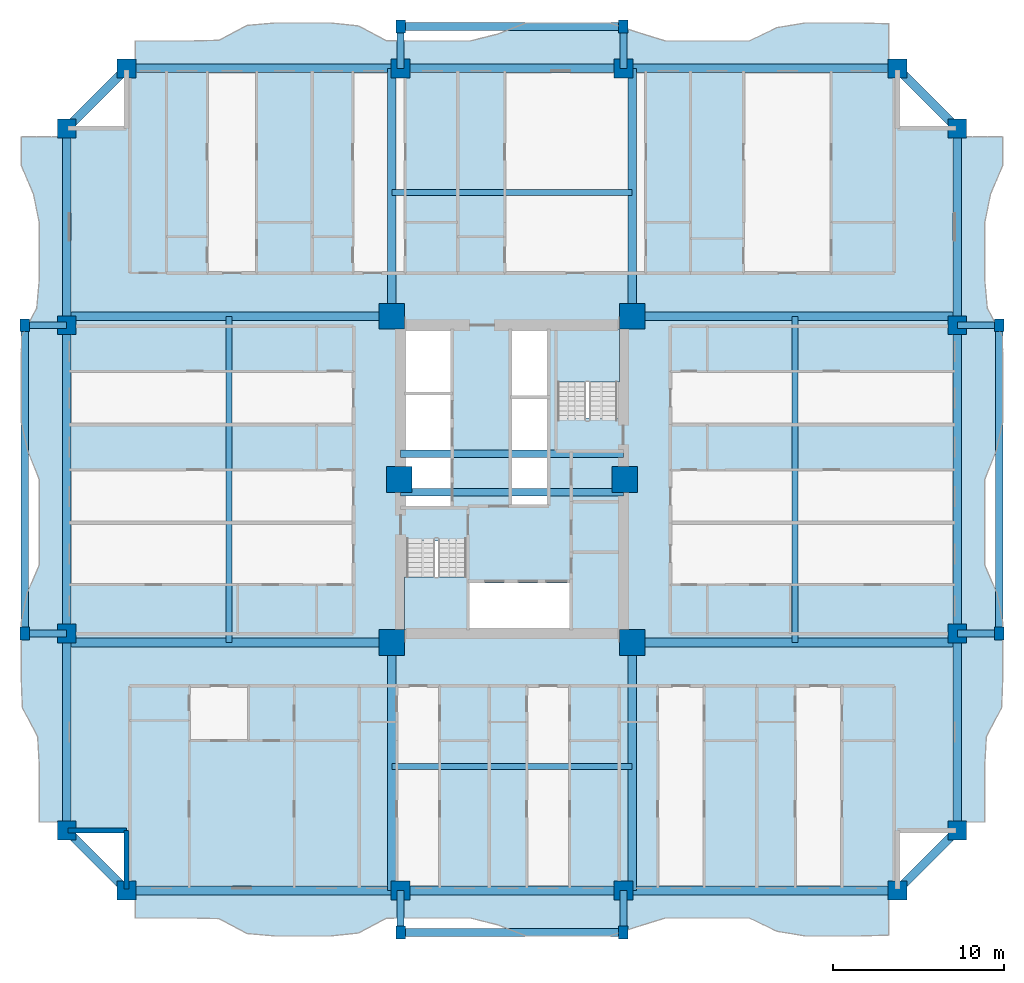
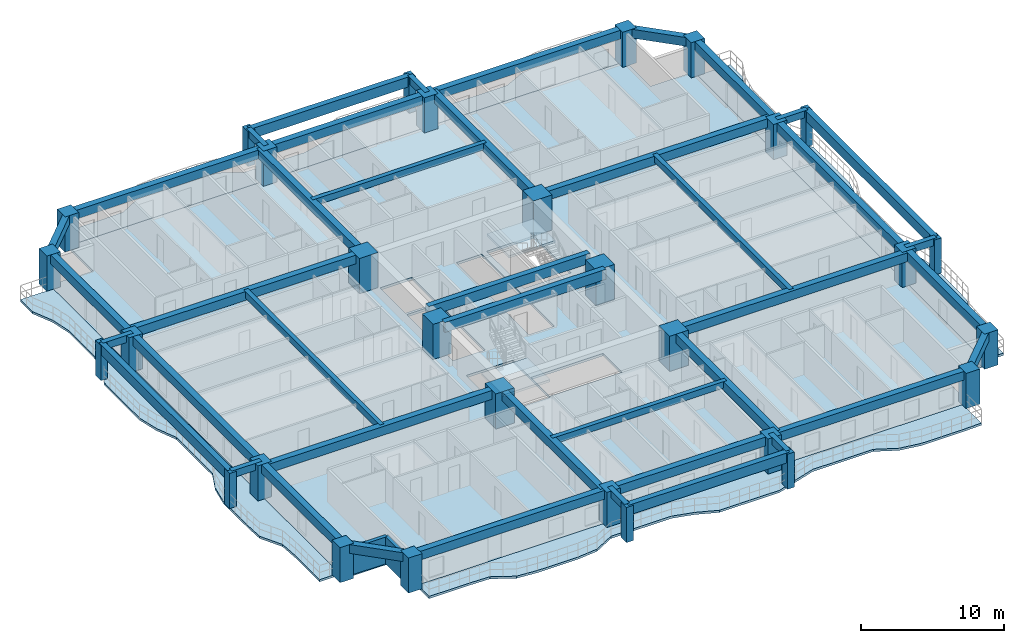
# One storey, part 1 of 16: 42 beams, 30 columns, 7 slabs, 2 walls, 2 elements without a shape of their own.
"""IFC4 building model written with IfcOpenShell, lengths in metres."""

from ifc_helpers import new_model, si_unit, direction, frame, frame_2d, origin, origin_2d, place, context, subcontext, project, spatial, polyline, rectangle, outline, extrude, source, transform, mapped, material, layer, layer_set, material_profile, profile_set, type_object, element, aggregate, save


model = new_model("IFC4")

# Units and contexts
model_context = context("Model", 3, precision=1e-05, world=origin(), true_north=direction((0.0, 1.0)))
body_context = subcontext(model_context, "Body", "Model", "MODEL_VIEW")
ifc_project = project(units=[si_unit("LENGTHUNIT", "METRE"), si_unit("AREAUNIT", "SQUARE_METRE"), si_unit("VOLUMEUNIT", "CUBIC_METRE"), si_unit("PLANEANGLEUNIT", "RADIAN"), si_unit("MASSUNIT", "GRAM", prefix="KILO")], contexts=[model_context])

# Site, building, storey
site_placement = place(None, origin())
site = spatial("IfcSite", under=ifc_project, at=site_placement, CompositionType="ELEMENT")
building_placement = place(site_placement, origin())
building = spatial("IfcBuilding", under=site, at=building_placement, Name="Saelheon Loggia Tower", CompositionType="ELEMENT")
storey_placement = place(building_placement, frame((0.0, 0.0, 55.39990234375)))
storey = spatial("IfcBuildingStorey", under=building, at=storey_placement, Name="L17", CompositionType="ELEMENT", Elevation=55.39990234375)

# Columns
ifc_material_1 = material(Name="Concrete C60/75", Category="concrete")
ifc_material_profile_1 = material_profile(ifc_material_1, rectangle(XDim=1.5, YDim=1.5, at=origin_2d()), Name="RC-1500x1500")
ifc_profile_set_1 = profile_set([ifc_material_profile_1], Name="Concrete C60/75")
column_type_1 = type_object("IfcColumnType", Name="Col_Core_RC1500", PredefinedType="COLUMN", material=ifc_profile_set_1)
shared_shape_1 = source(origin(), body_context, "Body", "SweptSolid", [
    extrude(rectangle(XDim=1.5, YDim=1.5, at=origin_2d()), origin(), (0.0, 0.0, 1.0), 3.0),
])
for number, where, z_axis, x_axis, name in (
    (1, (30.97998046875, 17.47998046875, 0.0), (0.0, 0.0, 1.0), (1.0, 0.0, 0.0), "L17 Core Column CR-SW"),
    (2, (45.02001953125, 17.47998046875, 0.0), (0.0, 0.0, 1.0), (1.0, 0.0, 0.0), "L17 Core Column CR-SE"),
    (3, (30.97998046875, 36.52001953125, 0.0), (0.0, 0.0, 1.0), (1.0, 0.0, 0.0), "L17 Core Column CR-NW"),
    (4, (45.02001953125, 36.52001953125, 0.0), (0.0, 0.0, 1.0), (1.0, 0.0, 0.0), "L17 Core Column CR-NE"),
    (5, (31.419921875, 27.0, 0.0), (0.0, 0.0, 1.0), (1.0, 0.0, 0.0), "L17 Core Column CR-MW"),
    (6, (44.580078125, 27.0, 0.0), (0.0, 0.0, 1.0), (1.0, 0.0, 0.0), "L17 Core Column CR-ME"),
):
    element("IfcColumn", number, at=place(storey_placement, frame(where, z_axis=z_axis, x_axis=x_axis)), inside=storey, type_object=column_type_1, Name=name, PredefinedType="COLUMN", context=body_context, shape_type="MappedRepresentation", body=[
        mapped(shared_shape_1, transform((0.0, 0.0, 0.0), scale=1.0)),
    ])
ifc_material_2 = material(Name="Concrete C50/60", Category="concrete")
ifc_material_profile_2 = material_profile(ifc_material_2, rectangle(XDim=1.10009765625, YDim=1.10009765625, at=origin_2d()), Name="RC-1100x1100")
ifc_profile_set_2 = profile_set([ifc_material_profile_2], Name="Concrete C50/60")
column_type_2 = type_object("IfcColumnType", Name="Col_PerimExt_RC1100", PredefinedType="COLUMN", material=ifc_profile_set_2)
shared_shape_2 = source(origin(), body_context, "Body", "SweptSolid", [
    extrude(rectangle(XDim=1.10009765625, YDim=1.10009765625, at=origin_2d()), origin(), (0.0, 0.0, 1.0), 3.0),
])
for number, where, z_axis, x_axis, name in (
    (7, (15.5, 3.0, 0.0), (0.0, 0.0, 1.0), (1.0, 0.0, 0.0), "L17 Perimeter Column TP-S1"),
    (8, (31.5, 3.0, 0.0), (0.0, 0.0, 1.0), (1.0, 0.0, 0.0), "L17 Perimeter Column TP-SA"),
    (9, (44.5, 3.0, 0.0), (0.0, 0.0, 1.0), (1.0, 0.0, 0.0), "L17 Perimeter Column TP-SB"),
    (10, (60.5, 3.0, 0.0), (0.0, 0.0, 1.0), (1.0, 0.0, 0.0), "L17 Perimeter Column TP-S2"),
    (11, (64.0, 6.5, 0.0), (0.0, 0.0, 1.0), (1.0, 0.0, 0.0), "L17 Perimeter Column TP-E1"),
    (12, (64.0, 18.0, 0.0), (0.0, 0.0, 1.0), (1.0, 0.0, 0.0), "L17 Perimeter Column TP-EA"),
    (13, (64.0, 36.0, 0.0), (0.0, 0.0, 1.0), (1.0, 0.0, 0.0), "L17 Perimeter Column TP-EB"),
    (14, (64.0, 47.5, 0.0), (0.0, 0.0, 1.0), (1.0, 0.0, 0.0), "L17 Perimeter Column TP-E2"),
    (15, (60.5, 51.0, 0.0), (0.0, 0.0, 1.0), (1.0, 0.0, 0.0), "L17 Perimeter Column TP-N2"),
    (16, (44.5, 51.0, 0.0), (0.0, 0.0, 1.0), (1.0, 0.0, 0.0), "L17 Perimeter Column TP-NB"),
    (17, (31.5, 51.0, 0.0), (0.0, 0.0, 1.0), (1.0, 0.0, 0.0), "L17 Perimeter Column TP-NA"),
    (18, (15.5, 51.0, 0.0), (0.0, 0.0, 1.0), (1.0, 0.0, 0.0), "L17 Perimeter Column TP-N1"),
    (19, (12.0, 47.5, 0.0), (0.0, 0.0, 1.0), (1.0, 0.0, 0.0), "L17 Perimeter Column TP-W2"),
    (20, (12.0, 36.0, 0.0), (0.0, 0.0, 1.0), (1.0, 0.0, 0.0), "L17 Perimeter Column TP-WB"),
    (21, (12.0, 18.0, 0.0), (0.0, 0.0, 1.0), (1.0, 0.0, 0.0), "L17 Perimeter Column TP-WA"),
    (22, (12.0, 6.5, 0.0), (0.0, 0.0, 1.0), (1.0, 0.0, 0.0), "L17 Perimeter Column TP-W1"),
):
    element("IfcColumn", number, at=place(storey_placement, frame(where, z_axis=z_axis, x_axis=x_axis)), inside=storey, type_object=column_type_2, Name=name, PredefinedType="COLUMN", context=body_context, shape_type="MappedRepresentation", body=[
        mapped(shared_shape_2, transform((0.0, 0.0, 0.0), scale=1.0)),
    ])
ifc_material_3 = material(Name="Precast Concrete C45/55", Category="concrete")
ifc_material_profile_3 = material_profile(ifc_material_3, rectangle(XDim=0.550048828125, YDim=0.75, at=origin_2d()), Name="RC-550x750")
ifc_profile_set_3 = profile_set([ifc_material_profile_3], Name="Precast Concrete C45/55")
column_type_3 = type_object("IfcColumnType", Name="Col_Loggia_Pilaster_750", PredefinedType="PILASTER", material=ifc_profile_set_3)
shared_shape_3 = source(origin(), body_context, "Body", "SweptSolid", [
    extrude(rectangle(XDim=0.550048828125, YDim=0.75, at=origin_2d()), origin(), (0.0, 0.0, 1.0), 3.0),
])
for number, where, z_axis, x_axis, name in (
    (23, (31.5, 0.550048828125, 0.0), (0.0, 0.0, 1.0), (1.0, 0.0, 0.0), "L17 Loggia Frame Pilaster LP-S1"),
    (24, (44.5, 0.550048828125, 0.0), (0.0, 0.0, 1.0), (1.0, 0.0, 0.0), "L17 Loggia Frame Pilaster LP-S2"),
    (25, (31.5, 53.449951171875, 0.0), (0.0, 0.0, 1.0), (1.0, 0.0, 0.0), "L17 Loggia Frame Pilaster LP-N1"),
    (26, (44.5, 53.449951171875, 0.0), (0.0, 0.0, 1.0), (1.0, 0.0, 0.0), "L17 Loggia Frame Pilaster LP-N2"),
    (27, (66.449951171875, 18.0, 0.0), (0.0, 0.0, 1.0), (1.0, 0.0, 0.0), "L17 Loggia Frame Pilaster LP-E1"),
    (28, (66.449951171875, 36.0, 0.0), (0.0, 0.0, 1.0), (1.0, 0.0, 0.0), "L17 Loggia Frame Pilaster LP-E2"),
    (29, (9.550048828125, 18.0, 0.0), (0.0, 0.0, 1.0), (1.0, 0.0, 0.0), "L17 Loggia Frame Pilaster LP-W1"),
    (30, (9.550048828125, 36.0, 0.0), (0.0, 0.0, 1.0), (1.0, 0.0, 0.0), "L17 Loggia Frame Pilaster LP-W2"),
):
    element("IfcColumn", number, at=place(storey_placement, frame(where, z_axis=z_axis, x_axis=x_axis)), inside=storey, type_object=column_type_3, Name=name, PredefinedType="PILASTER", context=body_context, shape_type="MappedRepresentation", body=[
        mapped(shared_shape_3, transform((0.0, 0.0, 0.0), scale=1.0)),
    ])

# Beams
ifc_material_profile_4 = material_profile(ifc_material_2, rectangle(XDim=0.449951171875, YDim=0.85009765625, at=origin_2d()), Name="RC-450x850")
ifc_profile_set_4 = profile_set([ifc_material_profile_4], Name="Concrete C50/60")
beam_type_1 = type_object("IfcBeamType", Name="Beam_CoreLintel_RC450x850", PredefinedType="LINTEL", material=ifc_profile_set_4)
shared_shape_4 = source(origin(), body_context, "Body", "SweptSolid", [
    extrude(rectangle(XDim=0.449951171875, YDim=0.85009765625, at=origin_2d()), origin(), (0.0, 0.0, 1.0), 13.0),
])
for number, where, z_axis, x_axis, name in (
    (31, (31.5, 26.25, 2.5751953125), (1.0, 0.0, 0.0), (0.0, 1.0, 0.0), "L17 Core Coupling Lintel 1"),
    (32, (31.5, 28.5, 2.5751953125), (1.0, 0.0, 0.0), (0.0, 1.0, 0.0), "L17 Core Coupling Lintel 2"),
):
    element("IfcBeam", number, at=place(storey_placement, frame(where, z_axis=z_axis, x_axis=x_axis)), inside=storey, type_object=beam_type_1, Name=name, PredefinedType="LINTEL", context=body_context, shape_type="MappedRepresentation", body=[
        mapped(shared_shape_4, transform((0.0, 0.0, 0.0), scale=1.0)),
    ])
ifc_material_profile_5 = material_profile(ifc_material_3, rectangle(XDim=0.449951171875, YDim=0.85009765625, at=origin_2d()), Name="RC-450x850")
ifc_profile_set_5 = profile_set([ifc_material_profile_5], Name="Precast Concrete C45/55")
beam_type_2 = type_object("IfcBeamType", Name="Beam_LoggiaSpandrel_RC450x850", PredefinedType="SPANDREL", material=ifc_profile_set_5)
for number, where, z_axis, x_axis, name in (
    (33, (31.5, 0.550048828125, 2.5751953125), (1.0, 0.0, 0.0), (0.0, 1.0, 0.0), "L17 Loggia Spandrel Beam S"),
    (34, (31.5, 53.449951171875, 2.5751953125), (1.0, 0.0, 0.0), (0.0, 1.0, 0.0), "L17 Loggia Spandrel Beam N"),
):
    element("IfcBeam", number, at=place(storey_placement, frame(where, z_axis=z_axis, x_axis=x_axis)), inside=storey, type_object=beam_type_2, Name=name, PredefinedType="SPANDREL", context=body_context, shape_type="MappedRepresentation", body=[
        mapped(shared_shape_4, transform((0.0, 0.0, 0.0), scale=1.0)),
    ])
ifc_material_4 = material(Name="Concrete C45/55", Category="concrete")
ifc_material_profile_6 = material_profile(ifc_material_4, rectangle(XDim=0.5, YDim=0.75, at=origin_2d()), Name="RC-500x750")
ifc_profile_set_6 = profile_set([ifc_material_profile_6], Name="Concrete C45/55")
beam_type_3 = type_object("IfcBeamType", Name="Beam_FloorGirder_RC500x750", PredefinedType="BEAM", material=ifc_profile_set_6)
shared_shape_5 = source(origin(), body_context, "Body", "SweptSolid", [
    extrude(rectangle(XDim=0.5, YDim=0.75, at=origin_2d()), origin(), (0.0, 0.0, 1.0), 14.47998046875),
])
for number, where, z_axis, x_axis, name in (
    (35, (30.97998046875, 17.47998046875, 2.625), (0.0, -1.0, 0.0), (1.0, 0.0, 0.0), "L17 Radial Floor Girder RAD-SW-S"),
    (36, (45.02001953125, 17.47998046875, 2.625), (0.0, -1.0, 0.0), (1.0, 0.0, 0.0), "L17 Radial Floor Girder RAD-SE-S"),
    (37, (30.97998046875, 36.52001953125, 2.625), (0.0, 1.0, 0.0), (-1.0, 0.0, 0.0), "L17 Radial Floor Girder RAD-NW-N"),
    (38, (45.02001953125, 36.52001953125, 2.625), (0.0, 1.0, 0.0), (-1.0, 0.0, 0.0), "L17 Radial Floor Girder RAD-NE-N"),
):
    element("IfcBeam", number, at=place(storey_placement, frame(where, z_axis=z_axis, x_axis=x_axis)), inside=storey, type_object=beam_type_3, Name=name, PredefinedType="BEAM", context=body_context, shape_type="MappedRepresentation", body=[
        mapped(shared_shape_5, transform((0.0, 0.0, 0.0), scale=1.0)),
    ])
ifc_material_profile_7 = material_profile(ifc_material_4, rectangle(XDim=0.5, YDim=0.75, at=origin_2d()), Name="RC-500x750")
ifc_profile_set_7 = profile_set([ifc_material_profile_7], Name="Concrete C45/55")
beam_type_4 = type_object("IfcBeamType", Name="Beam_PerimGirder_RC500x750", PredefinedType="BEAM", material=ifc_profile_set_7)
shared_shape_6 = source(origin(), body_context, "Body", "SweptSolid", [
    extrude(rectangle(XDim=0.5, YDim=0.75, at=origin_2d()), origin(), (0.0, 0.0, 1.0), 16.0),
])
for number, where, z_axis, x_axis, name in (
    (39, (15.5, 3.0, 2.625), (1.0, 0.0, 0.0), (0.0, 1.0, 0.0), "L17 Perimeter Frame Girder 01"),
    (40, (44.5, 3.0, 2.625), (1.0, 0.0, 0.0), (0.0, 1.0, 0.0), "L17 Perimeter Frame Girder 03"),
    (41, (60.5, 51.0, 2.625), (-1.0, 0.0, 0.0), (0.0, -1.0, 0.0), "L17 Perimeter Frame Girder 09"),
    (42, (31.5, 51.0, 2.625), (-1.0, 0.0, 0.0), (0.0, -1.0, 0.0), "L17 Perimeter Frame Girder 11"),
):
    element("IfcBeam", number, at=place(storey_placement, frame(where, z_axis=z_axis, x_axis=x_axis)), inside=storey, type_object=beam_type_4, Name=name, PredefinedType="BEAM", context=body_context, shape_type="MappedRepresentation", body=[
        mapped(shared_shape_6, transform((0.0, 0.0, 0.0), scale=1.0)),
    ])
shared_shape_7 = source(origin(), body_context, "Body", "SweptSolid", [
    extrude(rectangle(XDim=0.5, YDim=0.75, at=origin_2d()), origin(), (0.0, 0.0, 1.0), 13.0),
])
for number, where, z_axis, x_axis, name in (
    (43, (31.5, 3.0, 2.625), (1.0, 0.0, 0.0), (0.0, 1.0, 0.0), "L17 Perimeter Frame Girder 02"),
    (44, (44.5, 51.0, 2.625), (-1.0, 0.0, 0.0), (0.0, -1.0, 0.0), "L17 Perimeter Frame Girder 10"),
):
    element("IfcBeam", number, at=place(storey_placement, frame(where, z_axis=z_axis, x_axis=x_axis)), inside=storey, type_object=beam_type_4, Name=name, PredefinedType="BEAM", context=body_context, shape_type="MappedRepresentation", body=[
        mapped(shared_shape_7, transform((0.0, 0.0, 0.0), scale=1.0)),
    ])
shared_shape_8 = source(origin(), body_context, "Body", "SweptSolid", [
    extrude(rectangle(XDim=0.5, YDim=0.75, at=origin_2d()), origin(), (0.0, 0.0, 1.0), 4.94970703125),
])
for number, where, z_axis, x_axis, name in (
    (45, (60.5, 3.0, 2.625), (0.707106781187, 0.707106781187, 0.0), (-0.707106781187, 0.707106781187, 0.0), "L17 Perimeter Frame Girder 04"),
    (46, (64.0, 47.5, 2.625), (-0.707106781187, 0.707106781187, 0.0), (-0.707106781187, -0.707106781187, 0.0), "L17 Perimeter Frame Girder 08"),
    (47, (15.5, 51.0, 2.625), (-0.707106781187, -0.707106781187, 0.0), (0.707106781187, -0.707106781187, 0.0), "L17 Perimeter Frame Girder 12"),
    (48, (12.0, 6.5, 2.625), (0.707106781187, -0.707106781187, 0.0), (0.707106781187, 0.707106781187, 0.0), "L17 Perimeter Frame Girder 16"),
):
    element("IfcBeam", number, at=place(storey_placement, frame(where, z_axis=z_axis, x_axis=x_axis)), inside=storey, type_object=beam_type_4, Name=name, PredefinedType="BEAM", context=body_context, shape_type="MappedRepresentation", body=[
        mapped(shared_shape_8, transform((0.0, 0.0, 0.0), scale=1.0)),
    ])
shared_shape_9 = source(origin(), body_context, "Body", "SweptSolid", [
    extrude(rectangle(XDim=0.5, YDim=0.75, at=origin_2d()), origin(), (0.0, 0.0, 1.0), 11.5),
])
for number, where, z_axis, x_axis, name in (
    (49, (64.0, 6.5, 2.625), (0.0, 1.0, 0.0), (-1.0, 0.0, 0.0), "L17 Perimeter Frame Girder 05"),
    (50, (64.0, 36.0, 2.625), (0.0, 1.0, 0.0), (-1.0, 0.0, 0.0), "L17 Perimeter Frame Girder 07"),
    (51, (12.0, 47.5, 2.625), (0.0, -1.0, 0.0), (1.0, 0.0, 0.0), "L17 Perimeter Frame Girder 13"),
    (52, (12.0, 18.0, 2.625), (0.0, -1.0, 0.0), (1.0, 0.0, 0.0), "L17 Perimeter Frame Girder 15"),
):
    element("IfcBeam", number, at=place(storey_placement, frame(where, z_axis=z_axis, x_axis=x_axis)), inside=storey, type_object=beam_type_4, Name=name, PredefinedType="BEAM", context=body_context, shape_type="MappedRepresentation", body=[
        mapped(shared_shape_9, transform((0.0, 0.0, 0.0), scale=1.0)),
    ])
shared_shape_10 = source(origin(), body_context, "Body", "SweptSolid", [
    extrude(rectangle(XDim=0.5, YDim=0.75, at=origin_2d()), origin(), (0.0, 0.0, 1.0), 18.0),
])
for number, where, z_axis, x_axis, name in (
    (53, (64.0, 18.0, 2.625), (0.0, 1.0, 0.0), (-1.0, 0.0, 0.0), "L17 Perimeter Frame Girder 06"),
    (54, (12.0, 36.0, 2.625), (0.0, -1.0, 0.0), (1.0, 0.0, 0.0), "L17 Perimeter Frame Girder 14"),
):
    element("IfcBeam", number, at=place(storey_placement, frame(where, z_axis=z_axis, x_axis=x_axis)), inside=storey, type_object=beam_type_4, Name=name, PredefinedType="BEAM", context=body_context, shape_type="MappedRepresentation", body=[
        mapped(shared_shape_10, transform((0.0, 0.0, 0.0), scale=1.0)),
    ])
shared_shape_11 = source(origin(), body_context, "Body", "SweptSolid", [
    extrude(rectangle(XDim=0.5, YDim=0.75, at=origin_2d()), origin(), (0.0, 0.0, 1.0), 18.97998046875),
])
for number, where, z_axis, x_axis, name in (
    (55, (30.97998046875, 17.47998046875, 2.625), (-1.0, 0.0, 0.0), (0.0, -1.0, 0.0), "L17 Radial Floor Girder RAD-SW-W"),
    (56, (30.97998046875, 36.52001953125, 2.625), (-1.0, 0.0, 0.0), (0.0, -1.0, 0.0), "L17 Radial Floor Girder RAD-NW-W"),
    (57, (45.02001953125, 17.47998046875, 2.625), (1.0, 0.0, 0.0), (0.0, 1.0, 0.0), "L17 Radial Floor Girder RAD-SE-E"),
    (58, (45.02001953125, 36.52001953125, 2.625), (1.0, 0.0, 0.0), (0.0, 1.0, 0.0), "L17 Radial Floor Girder RAD-NE-E"),
):
    element("IfcBeam", number, at=place(storey_placement, frame(where, z_axis=z_axis, x_axis=x_axis)), inside=storey, type_object=beam_type_3, Name=name, PredefinedType="BEAM", context=body_context, shape_type="MappedRepresentation", body=[
        mapped(shared_shape_11, transform((0.0, 0.0, 0.0), scale=1.0)),
    ])
ifc_material_5 = material(Name="Concrete C40/50", Category="concrete")
ifc_material_profile_8 = material_profile(ifc_material_5, rectangle(XDim=0.35009765625, YDim=0.550048828125, at=origin_2d()), Name="RC-350x550")
ifc_profile_set_8 = profile_set([ifc_material_profile_8], Name="Concrete C40/50")
beam_type_5 = type_object("IfcBeamType", Name="Beam_Joist_RC350x550", PredefinedType="JOIST", material=ifc_profile_set_8)
shared_shape_12 = source(origin(), body_context, "Body", "SweptSolid", [
    extrude(rectangle(XDim=0.35009765625, YDim=0.550048828125, at=origin_2d()), origin(), (0.0, 0.0, 1.0), 14.0400390625),
])
for number, where, z_axis, x_axis, name in (
    (59, (30.97998046875, 10.239990234375, 2.72509765625), (1.0, 0.0, 0.0), (0.0, 1.0, 0.0), "L17 South Floor Joist"),
    (60, (30.97998046875, 43.760009765625, 2.72509765625), (1.0, 0.0, 0.0), (0.0, 1.0, 0.0), "L17 North Floor Joist"),
):
    element("IfcBeam", number, at=place(storey_placement, frame(where, z_axis=z_axis, x_axis=x_axis)), inside=storey, type_object=beam_type_5, Name=name, PredefinedType="JOIST", context=body_context, shape_type="MappedRepresentation", body=[
        mapped(shared_shape_12, transform((0.0, 0.0, 0.0), scale=1.0)),
    ])
shared_shape_13 = source(origin(), body_context, "Body", "SweptSolid", [
    extrude(rectangle(XDim=0.35009765625, YDim=0.550048828125, at=origin_2d()), origin(), (0.0, 0.0, 1.0), 19.0400390625),
])
for number, where, z_axis, x_axis, name in (
    (61, (21.489990234375, 17.47998046875, 2.72509765625), (0.0, 1.0, 0.0), (-1.0, 0.0, 0.0), "L17 West Floor Joist"),
    (62, (54.510009765625, 17.47998046875, 2.72509765625), (0.0, 1.0, 0.0), (-1.0, 0.0, 0.0), "L17 East Floor Joist"),
):
    element("IfcBeam", number, at=place(storey_placement, frame(where, z_axis=z_axis, x_axis=x_axis)), inside=storey, type_object=beam_type_5, Name=name, PredefinedType="JOIST", context=body_context, shape_type="MappedRepresentation", body=[
        mapped(shared_shape_13, transform((0.0, 0.0, 0.0), scale=1.0)),
    ])
ifc_material_profile_9 = material_profile(ifc_material_3, rectangle(XDim=0.39990234375, YDim=0.60009765625, at=origin_2d()), Name="RC-400x600")
ifc_profile_set_9 = profile_set([ifc_material_profile_9], Name="Precast Concrete C45/55")
beam_type_6 = type_object("IfcBeamType", Name="Beam_LoggiaTie_RC400x600", PredefinedType="BEAM", material=ifc_profile_set_9)
shared_shape_14 = source(origin(), body_context, "Body", "SweptSolid", [
    extrude(rectangle(XDim=0.39990234375, YDim=0.60009765625, at=origin_2d()), origin(), (0.0, 0.0, 1.0), 2.449951171875),
])
for number, where, z_axis, x_axis, name in (
    (63, (31.5, 3.0, 2.7001953125), (0.0, -1.0, 0.0), (1.0, 0.0, 0.0), "L17 Loggia Frame Tie Beam LP-S1"),
    (64, (44.5, 3.0, 2.7001953125), (0.0, -1.0, 0.0), (1.0, 0.0, 0.0), "L17 Loggia Frame Tie Beam LP-S2"),
    (65, (31.5, 51.0, 2.7001953125), (0.0, 1.0, 0.0), (-1.0, 0.0, 0.0), "L17 Loggia Frame Tie Beam LP-N1"),
    (66, (44.5, 51.0, 2.7001953125), (0.0, 1.0, 0.0), (-1.0, 0.0, 0.0), "L17 Loggia Frame Tie Beam LP-N2"),
    (67, (64.0, 18.0, 2.7001953125), (1.0, 0.0, 0.0), (0.0, 1.0, 0.0), "L17 Loggia Frame Tie Beam LP-E1"),
    (68, (64.0, 36.0, 2.7001953125), (1.0, 0.0, 0.0), (0.0, 1.0, 0.0), "L17 Loggia Frame Tie Beam LP-E2"),
    (69, (12.0, 18.0, 2.7001953125), (-1.0, 0.0, 0.0), (0.0, -1.0, 0.0), "L17 Loggia Frame Tie Beam LP-W1"),
    (70, (12.0, 36.0, 2.7001953125), (-1.0, 0.0, 0.0), (0.0, -1.0, 0.0), "L17 Loggia Frame Tie Beam LP-W2"),
):
    element("IfcBeam", number, at=place(storey_placement, frame(where, z_axis=z_axis, x_axis=x_axis)), inside=storey, type_object=beam_type_6, Name=name, PredefinedType="BEAM", context=body_context, shape_type="MappedRepresentation", body=[
        mapped(shared_shape_14, transform((0.0, 0.0, 0.0), scale=1.0)),
    ])
shared_shape_15 = source(origin(), body_context, "Body", "SweptSolid", [
    extrude(rectangle(XDim=0.449951171875, YDim=0.85009765625, at=origin_2d()), origin(), (0.0, 0.0, 1.0), 18.0),
])
for number, where, z_axis, x_axis, name in (
    (71, (66.449951171875, 18.0, 2.5751953125), (0.0, 1.0, 0.0), (-1.0, 0.0, 0.0), "L17 Loggia Spandrel Beam E"),
    (72, (9.550048828125, 18.0, 2.5751953125), (0.0, 1.0, 0.0), (-1.0, 0.0, 0.0), "L17 Loggia Spandrel Beam W"),
):
    element("IfcBeam", number, at=place(storey_placement, frame(where, z_axis=z_axis, x_axis=x_axis)), inside=storey, type_object=beam_type_2, Name=name, PredefinedType="SPANDREL", context=body_context, shape_type="MappedRepresentation", body=[
        mapped(shared_shape_15, transform((0.0, 0.0, 0.0), scale=1.0)),
    ])

# Slabs
ifc_layer_1 = layer(ifc_material_3, 0.18994140625)
ifc_layer_set_1 = layer_set([ifc_layer_1], Name="Precast Concrete C45/55")
slab_type_1 = type_object("IfcSlabType", Name="Slab_Loggia_Ext_190", PredefinedType="FLOOR", material=ifc_layer_set_1)
slab_1_placement = place(storey_placement, frame((0.0, 0.0, -0.18994140625)))
element("IfcSlab", 73, at=slab_1_placement, inside=storey, type_object=slab_type_1, Name="L17 Loggia Balcony Slab S", PredefinedType="FLOOR", context=body_context, shape_type="SweptSolid", body=[
    extrude(outline(polyline([(16.0, 1.39990234375), (17.629638671875, 1.39990234375), (19.25927734375, 1.39990234375), (20.888916015625, 1.359619140625), (22.5185546875, 0.490966796875), (24.148193359375, 0.35009765625), (25.77783203125, 0.35009765625), (27.407470703125, 0.35009765625), (29.037109375, 0.52001953125), (30.666748046875, 1.387451171875), (32.29638671875, 1.39990234375), (33.92578125, 1.39990234375), (35.5556640625, 1.39990234375), (37.185302734375, 0.99365234375), (38.814697265625, 0.35009765625), (40.4443359375, 0.35009765625), (42.07421875, 0.35009765625), (43.70361328125, 0.35009765625), (45.333251953125, 0.895263671875), (46.962890625, 1.39990234375), (48.592529296875, 1.39990234375), (50.22216796875, 1.39990234375), (51.851806640625, 1.39990234375), (53.4814453125, 0.61669921875), (55.111083984375, 0.35009765625), (56.74072265625, 0.35009765625), (58.370361328125, 0.35009765625), (60.0, 0.396728515625), (60.0, 3.0), (16.0, 3.0), (16.0, 1.39990234375)])), origin(), (0.0, 0.0, 1.0), 0.18994140625),
])
slab_2_placement = place(storey_placement, frame((0.0, 0.0, -0.18994140625)))
element("IfcSlab", 74, at=slab_2_placement, inside=storey, type_object=slab_type_1, Name="L17 Loggia Balcony Slab N", PredefinedType="FLOOR", context=body_context, shape_type="SweptSolid", body=[
    extrude(outline(polyline([(16.0, 51.0), (60.0, 51.0), (60.0, 53.603271484375), (58.370361328125, 53.64990234375), (56.74072265625, 53.64990234375), (55.111083984375, 53.64990234375), (53.4814453125, 53.38330078125), (51.851806640625, 52.60009765625), (50.22216796875, 52.60009765625), (48.592529296875, 52.60009765625), (46.962890625, 52.60009765625), (45.333251953125, 53.104736328125), (43.70361328125, 53.64990234375), (42.07421875, 53.64990234375), (40.4443359375, 53.64990234375), (38.814697265625, 53.64990234375), (37.185302734375, 53.00634765625), (35.5556640625, 52.60009765625), (33.92578125, 52.60009765625), (32.29638671875, 52.60009765625), (30.666748046875, 52.612548828125), (29.037109375, 53.47998046875), (27.407470703125, 53.64990234375), (25.77783203125, 53.64990234375), (24.148193359375, 53.64990234375), (22.5185546875, 53.509033203125), (20.888916015625, 52.640380859375), (19.25927734375, 52.60009765625), (17.629638671875, 52.60009765625), (16.0, 52.60009765625), (16.0, 51.0)])), origin(), (0.0, 0.0, 1.0), 0.18994140625),
])
slab_3_placement = place(storey_placement, frame((0.0, 0.0, -0.18994140625)))
element("IfcSlab", 75, at=slab_3_placement, inside=storey, type_object=slab_type_1, Name="L17 Loggia Balcony Slab E", PredefinedType="FLOOR", context=body_context, shape_type="SweptSolid", body=[
    extrude(outline(polyline([(64.0, 7.0), (65.60009765625, 7.0), (65.60009765625, 8.666748046875), (65.60009765625, 10.333251953125), (65.69677734375, 12.0), (66.586181640625, 13.666748046875), (66.64990234375, 15.333251953125), (66.64990234375, 17.0), (66.64990234375, 18.666748046875), (66.32177734375, 20.333251953125), (65.60009765625, 22.0), (65.60009765625, 23.666748046875), (65.60009765625, 25.333251953125), (65.60009765625, 27.0), (66.267578125, 28.666748046875), (66.64990234375, 30.333251953125), (66.64990234375, 32.0), (66.64990234375, 33.666748046875), (66.63720703125, 35.333251953125), (65.748291015625, 37.0), (65.60009765625, 38.666748046875), (65.60009765625, 40.333251953125), (65.60009765625, 42.0), (65.9423828125, 43.666748046875), (66.64990234375, 45.333251953125), (66.64990234375, 47.0), (64.0, 47.0), (64.0, 7.0)])), origin(), (0.0, 0.0, 1.0), 0.18994140625),
])
slab_4_placement = place(storey_placement, frame((0.0, 0.0, -0.18994140625)))
element("IfcSlab", 76, at=slab_4_placement, inside=storey, type_object=slab_type_1, Name="L17 Loggia Balcony Slab W", PredefinedType="FLOOR", context=body_context, shape_type="SweptSolid", body=[
    extrude(outline(polyline([(12.0, 7.0), (12.0, 47.0), (9.35009765625, 47.0), (9.35009765625, 45.333251953125), (10.0576171875, 43.666748046875), (10.39990234375, 42.0), (10.39990234375, 40.333251953125), (10.39990234375, 38.666748046875), (10.251708984375, 37.0), (9.36279296875, 35.333251953125), (9.35009765625, 33.666748046875), (9.35009765625, 32.0), (9.35009765625, 30.333251953125), (9.732421875, 28.666748046875), (10.39990234375, 27.0), (10.39990234375, 25.333251953125), (10.39990234375, 23.666748046875), (10.39990234375, 22.0), (9.67822265625, 20.333251953125), (9.35009765625, 18.666748046875), (9.35009765625, 17.0), (9.35009765625, 15.333251953125), (9.413818359375, 13.666748046875), (10.30322265625, 12.0), (10.39990234375, 10.333251953125), (10.39990234375, 8.666748046875), (10.39990234375, 7.0), (12.0, 7.0)])), origin(), (0.0, 0.0, 1.0), 0.18994140625),
])

# Stair, slab
stair_type = type_object("IfcStairType", Name="Stair_Escape_Core", PredefinedType="HALF_TURN_STAIR", material=ifc_material_5)
stair_1_placement = place(storey_placement, origin())
stair_1 = element("IfcStair", 77, at=stair_1_placement, inside=storey, type_object=stair_type, Name="L17 Special Escape Stair ST1", PredefinedType="HALF_TURN_STAIR")
ifc_layer_2 = layer(ifc_material_5, 0.199951171875)
ifc_layer_set_2 = layer_set([ifc_layer_2], Name="Concrete C40/50")
slab_type_2 = type_object("IfcSlabType", Name="Slab_StairLanding_ST1", PredefinedType="LANDING", material=ifc_layer_set_2)
slab_5_placement = place(storey_placement, frame((0.0, 0.0, 1.300048828125)))
slab_5 = element("IfcSlab", 78, at=slab_5_placement, type_object=slab_type_2, Name="ST1 landing 1", PredefinedType="LANDING", context=body_context, shape_type="SweptSolid", body=[
    extrude(outline(polyline([(31.7099609375, 21.31005859375), (31.7099609375, 18.2099609375), (35.469970703125, 18.2099609375), (35.469970703125, 21.31005859375), (31.7099609375, 21.31005859375)])), origin(), (0.0, 0.0, 1.0), 0.199951171875),
])
aggregate(stair_1, [slab_5])

stair_2_placement = place(storey_placement, origin())
stair_2 = element("IfcStair", 79, at=stair_2_placement, inside=storey, type_object=stair_type, Name="L17 Special Escape Stair ST2", PredefinedType="HALF_TURN_STAIR")
ifc_layer_3 = layer(ifc_material_5, 0.199951171875)
ifc_layer_set_3 = layer_set([ifc_layer_3], Name="Concrete C40/50")
slab_type_3 = type_object("IfcSlabType", Name="Slab_StairLanding_ST2", PredefinedType="LANDING", material=ifc_layer_set_3)
slab_6_placement = place(storey_placement, frame((0.0, 0.0, 1.300048828125)))
slab_6 = element("IfcSlab", 80, at=slab_6_placement, type_object=slab_type_3, Name="ST2 landing 1", PredefinedType="LANDING", context=body_context, shape_type="SweptSolid", body=[
    extrude(outline(polyline([(44.2900390625, 32.68994140625), (44.2900390625, 35.7900390625), (40.530029296875, 35.7900390625), (40.530029296875, 32.68994140625), (44.2900390625, 32.68994140625)])), origin(), (0.0, 0.0, 1.0), 0.199951171875),
])
aggregate(stair_2, [slab_6])

# Slab
ifc_layer_4 = layer(ifc_material_5, 0.2099609375)
ifc_layer_set_4 = layer_set([ifc_layer_4], Name="Concrete C40/50")
slab_type_4 = type_object("IfcSlabType", Name="Slab_Tower_210", PredefinedType="FLOOR", material=ifc_layer_set_4)
slab_7_placement = place(storey_placement, frame((0.0, 0.0, -0.2099609375)))
element("IfcSlab", 81, at=slab_7_placement, inside=storey, type_object=slab_type_4, Name="L17 Tower Floor Slab", PredefinedType="FLOOR", context=body_context, shape_type="SweptSolid", body=[
    extrude(outline(polyline([(15.5, 3.0), (60.5, 3.0), (60.5, 6.5), (64.0, 6.5), (64.0, 47.5), (60.5, 47.5), (60.5, 51.0), (15.5, 51.0), (15.5, 47.5), (12.0, 47.5), (12.0, 6.5), (15.5, 6.5), (15.5, 3.0)]), holes=[polyline([(31.699951171875, 23.409912109375), (31.699951171875, 18.199951171875), (35.47998046875, 18.199951171875), (35.47998046875, 23.409912109375), (31.699951171875, 23.409912109375)]), polyline([(44.300048828125, 30.590087890625), (44.300048828125, 35.800048828125), (40.52001953125, 35.800048828125), (40.52001953125, 30.590087890625), (44.300048828125, 30.590087890625)]), polyline([(35.530029296875, 18.324951171875), (41.35009765625, 18.324951171875), (41.35009765625, 20.9599609375), (35.530029296875, 20.9599609375), (35.530029296875, 18.324951171875)]), polyline([(31.824951171875, 32.1201171875), (34.419921875, 32.1201171875), (34.419921875, 35.675048828125), (31.824951171875, 35.675048828125), (31.824951171875, 32.1201171875)]), polyline([(38.0, 31.89990234375), (40.050048828125, 31.89990234375), (40.050048828125, 35.675048828125), (38.0, 35.675048828125), (38.0, 31.89990234375)]), polyline([(31.824951171875, 25.449951171875), (34.419921875, 25.449951171875), (34.419921875, 31.919921875), (31.824951171875, 31.919921875), (31.824951171875, 25.449951171875)]), polyline([(38.0, 25.5400390625), (40.050048828125, 25.5400390625), (40.050048828125, 31.699951171875), (38.0, 31.699951171875), (38.0, 25.5400390625)])]), origin(), (0.0, 0.0, 1.0), 0.2099609375),
])

# Walls
ifc_material_6 = material(Name="Architectural Precast Concrete C40/50", Category="concrete")
ifc_layer_5 = layer(ifc_material_6, 0.280029296875)
ifc_layer_set_5 = layer_set([ifc_layer_5], Name="Architectural Precast Concrete C40/50")
wall_type = type_object("IfcWallType", Name="Wall_Ext_Loggia_280", PredefinedType="SOLIDWALL", material=ifc_layer_set_5)
for number, where, z_axis, x_axis, name in (
    (82, (15.5, 3.080078125, 0.0), (0.0, 0.0, 1.0), (0.0, 1.0, 0.0), "L17 Corner Notch Precast Wall SW1"),
    (83, (12.080078125, 6.5, 0.0), (0.0, 0.0, 1.0), (1.0, 0.0, 0.0), "L17 Corner Notch Precast Wall SW2"),
):
    element("IfcWall", number, at=place(storey_placement, frame(where, z_axis=z_axis, x_axis=x_axis)), inside=storey, type_object=wall_type, Name=name, PredefinedType="SOLIDWALL", context=body_context, shape_type="SweptSolid", body=[
        extrude(rectangle(XDim=3.419921875, YDim=0.280029296875, at=frame_2d((1.7099609375, 0.0))), origin(), (0.0, 0.0, 1.0), 2.280029296875),
    ])

save(model, "model.ifc")
